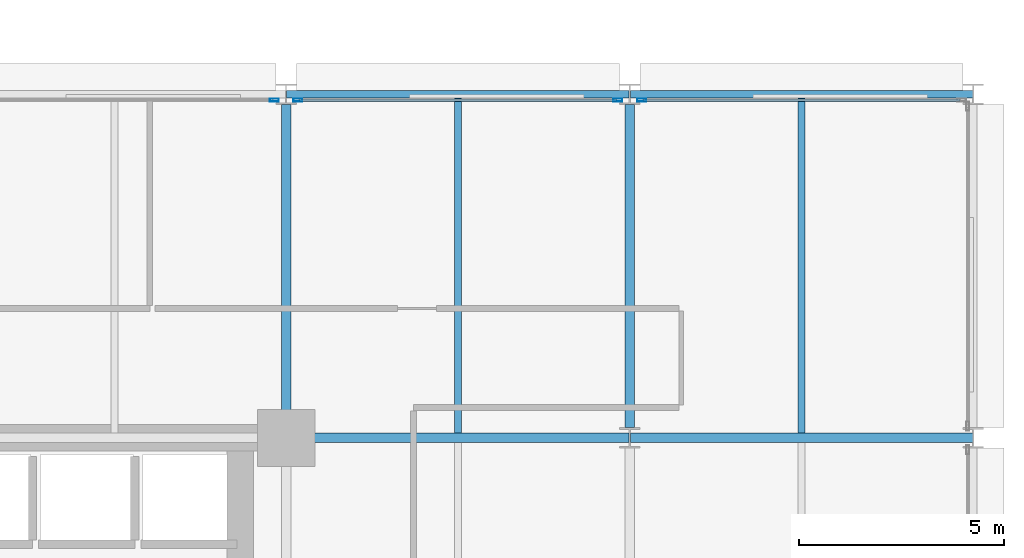
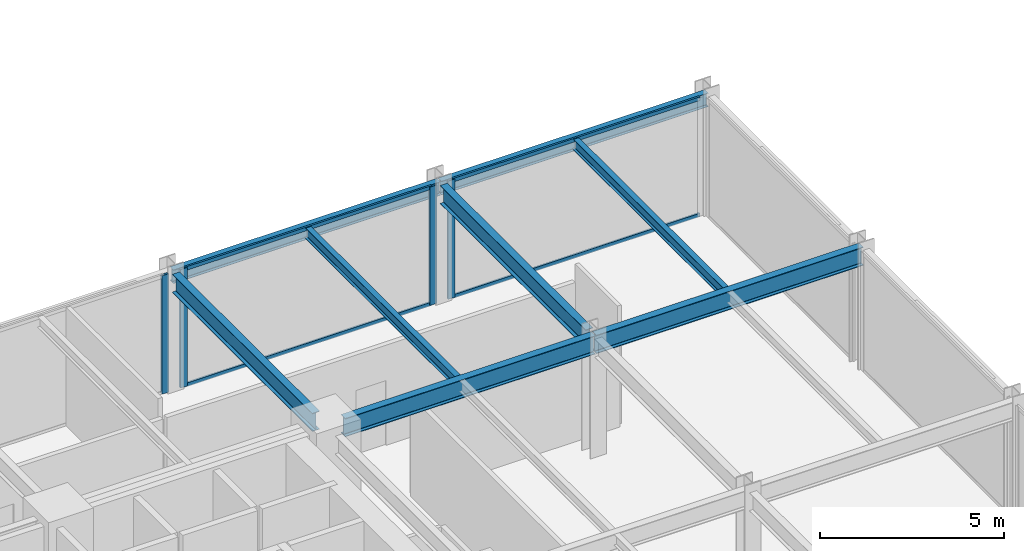
# One storey, part 12 of 25: 8 beams, 8 members, 3 elements without a shape of their own.
"""IFC4 building model written with IfcOpenShell, lengths in metres."""

from ifc_helpers import new_model, si_unit, direction, frame, origin, origin_2d, place, context, subcontext, project, spatial, hollow_rectangle, i_section, extrude, material, layer, layer_set, material_profile, profile_set, type_object, element, aggregate, save


model = new_model("IFC4")

# Units and contexts
model_context = context("Model", 3, precision=1e-05, world=origin(), true_north=direction((0.0, 1.0)))
body_context = subcontext(model_context, "Body", "Model", "MODEL_VIEW")
ifc_project = project(units=[si_unit("LENGTHUNIT", "METRE"), si_unit("AREAUNIT", "SQUARE_METRE"), si_unit("VOLUMEUNIT", "CUBIC_METRE"), si_unit("PLANEANGLEUNIT", "RADIAN"), si_unit("MASSUNIT", "GRAM", prefix="KILO")], contexts=[model_context])

# Site, building, storey
site_placement = place(None, origin())
site = spatial("IfcSite", under=ifc_project, at=site_placement, CompositionType="ELEMENT")
building_placement = place(site_placement, origin())
building = spatial("IfcBuilding", under=site, at=building_placement, Name="Nerrivon Quay Data Exchange", CompositionType="ELEMENT")
storey_placement = place(building_placement, frame((0.0, 0.0, 41.60009765625)))
storey = spatial("IfcBuildingStorey", under=building, at=storey_placement, Name="L09", CompositionType="ELEMENT", Elevation=41.60009765625)

# Beams
ifc_material_1 = material(Name="Steel Grade 350", Category="steel")
ifc_material_profile_1 = material_profile(ifc_material_1, i_section(OverallWidth=0.22900390625, OverallDepth=0.612060546875, WebThickness=0.011962890625, FlangeThickness=0.01953125, FilletRadius=0.013916015625, at=origin_2d()), Name="610UB125")
ifc_profile_set_1 = profile_set([ifc_material_profile_1], Name="Steel Grade 350")
beam_type_1 = type_object("IfcBeamType", Name="BM-G1-610UB125", PredefinedType="BEAM", material=ifc_profile_set_1)
beam_1_placement = place(storey_placement, frame((34.139892578125, 16.800048828125, 3.618896484375), z_axis=(1.0, 0.0, 0.0), x_axis=(0.0, 1.0, 0.0)))
element("IfcBeam", 1, at=beam_1_placement, inside=storey, type_object=beam_type_1, Name="L09 EW Girder Y=16.8 (33.6..42.0)", PredefinedType="BEAM", context=body_context, shape_type="SweptSolid", body=[
    extrude(i_section(OverallWidth=0.22900390625, OverallDepth=0.612060546875, WebThickness=0.011962890625, FlangeThickness=0.01953125, FilletRadius=0.013916015625, at=origin_2d()), origin(), (0.0, 0.0, 1.0), 7.84619140625),
])
beam_2_placement = place(storey_placement, frame((42.013916015625, 16.800048828125, 3.618896484375), z_axis=(1.0, 0.0, 0.0), x_axis=(0.0, 1.0, 0.0)))
element("IfcBeam", 2, at=beam_2_placement, inside=storey, type_object=beam_type_1, Name="L09 EW Girder Y=16.8 (42.0..50.4)", PredefinedType="BEAM", context=body_context, shape_type="SweptSolid", body=[
    extrude(i_section(OverallWidth=0.22900390625, OverallDepth=0.612060546875, WebThickness=0.011962890625, FlangeThickness=0.01953125, FilletRadius=0.013916015625, at=origin_2d()), origin(), (0.0, 0.0, 1.0), 8.3720703125),
])
ifc_material_profile_2 = material_profile(ifc_material_1, i_section(OverallWidth=0.22802734375, OverallDepth=0.60205078125, WebThickness=0.010498046875, FlangeThickness=0.014892578125, FilletRadius=0.013916015625, at=origin_2d()), Name="610UB101")
ifc_profile_set_2 = profile_set([ifc_material_profile_2], Name="Steel Grade 350")
beam_type_2 = type_object("IfcBeamType", Name="BM-G2-610UB101", PredefinedType="BEAM", material=ifc_profile_set_2)
beam_3_placement = place(storey_placement, frame((33.60009765625, 17.340087890625, 3.6240234375), z_axis=(0.0, 1.0, 0.0), x_axis=(-1.0, 0.0, 0.0)))
element("IfcBeam", 3, at=beam_3_placement, inside=storey, type_object=beam_type_2, Name="L09 NS Girder X=33.6 (16.8..25.2)", PredefinedType="BEAM", context=body_context, shape_type="SweptSolid", body=[
    extrude(i_section(OverallWidth=0.22802734375, OverallDepth=0.60205078125, WebThickness=0.010498046875, FlangeThickness=0.014892578125, FilletRadius=0.013916015625, at=origin_2d()), origin(), (0.0, 0.0, 1.0), 7.60986328125),
])
beam_4_placement = place(storey_placement, frame((42.0, 17.050048828125, 3.6240234375), z_axis=(0.0, 1.0, 0.0), x_axis=(-1.0, 0.0, 0.0)))
element("IfcBeam", 4, at=beam_4_placement, inside=storey, type_object=beam_type_2, Name="L09 NS Girder X=42.0 (16.8..25.2)", PredefinedType="BEAM", context=body_context, shape_type="SweptSolid", body=[
    extrude(i_section(OverallWidth=0.22802734375, OverallDepth=0.60205078125, WebThickness=0.010498046875, FlangeThickness=0.014892578125, FilletRadius=0.013916015625, at=origin_2d()), origin(), (0.0, 0.0, 1.0), 7.89990234375),
])
ifc_material_profile_3 = material_profile(ifc_material_1, i_section(OverallWidth=0.172119140625, OverallDepth=0.35888671875, WebThickness=0.008056640625, FlangeThickness=0.012939453125, FilletRadius=0.011474609375, at=origin_2d()), Name="360UB56.7")
ifc_profile_set_3 = profile_set([ifc_material_profile_3], Name="Steel Grade 350")
beam_type_3 = type_object("IfcBeamType", Name="BM-J3-360UB57", PredefinedType="JOIST", material=ifc_profile_set_3)
for number, where, z_axis, x_axis, name in (
    (5, (37.800048828125, 16.91455078125, 3.745361328125), (0.0, 1.0, 0.0), (-1.0, 0.0, 0.0), "L09 Secondary Joist X=37.8 (16.8..25.2)"),
    (6, (46.199951171875, 16.91455078125, 3.745361328125), (0.0, 1.0, 0.0), (-1.0, 0.0, 0.0), "L09 Secondary Joist X=46.2 (16.8..25.2)"),
):
    element("IfcBeam", number, at=place(storey_placement, frame(where, z_axis=z_axis, x_axis=x_axis)), inside=storey, type_object=beam_type_3, Name=name, PredefinedType="JOIST", context=body_context, shape_type="SweptSolid", body=[
        extrude(i_section(OverallWidth=0.172119140625, OverallDepth=0.35888671875, WebThickness=0.008056640625, FlangeThickness=0.012939453125, FilletRadius=0.011474609375, at=origin_2d()), origin(), (0.0, 0.0, 1.0), 8.1904296875),
    ])
ifc_material_profile_4 = material_profile(ifc_material_1, i_section(OverallWidth=0.18994140625, OverallDepth=0.4541015625, WebThickness=0.008544921875, FlangeThickness=0.0126953125, FilletRadius=0.011474609375, at=origin_2d()), Name="460UB67.1")
ifc_profile_set_4 = profile_set([ifc_material_profile_4], Name="Steel Grade 350")
beam_type_4 = type_object("IfcBeamType", Name="BM-SP1-460UB67", PredefinedType="SPANDREL", material=ifc_profile_set_4)
for number, where, z_axis, x_axis, name in (
    (7, (33.614013671875, 25.199951171875, 3.697998046875), (1.0, 0.0, 0.0), (0.0, 1.0, 0.0), "L09 EW Girder Y=25.2 (33.6..42.0)"),
    (8, (42.013916015625, 25.199951171875, 3.697998046875), (1.0, 0.0, 0.0), (0.0, 1.0, 0.0), "L09 EW Girder Y=25.2 (42.0..50.4)"),
):
    element("IfcBeam", number, at=place(storey_placement, frame(where, z_axis=z_axis, x_axis=x_axis)), inside=storey, type_object=beam_type_4, Name=name, PredefinedType="SPANDREL", context=body_context, shape_type="SweptSolid", body=[
        extrude(i_section(OverallWidth=0.18994140625, OverallDepth=0.4541015625, WebThickness=0.008544921875, FlangeThickness=0.0126953125, FilletRadius=0.011474609375, at=origin_2d()), origin(), (0.0, 0.0, 1.0), 8.3720703125),
    ])

# Curtain wall, member
ifc_material_2 = material(Name="Anodised aluminium 6063-T6", Category="aluminium")
ifc_layer = layer(ifc_material_2, 0.219970703125)
ifc_layer_set = layer_set([ifc_layer], Name="Anodised aluminium 6063-T6")
curtain_wall_type = type_object("IfcCurtainWallType", Name="CW-SYS-01", PredefinedType="NOTDEFINED", material=ifc_layer_set)
curtain_wall_1_placement = place(storey_placement, origin())
curtain_wall_1 = element("IfcCurtainWall", 9, at=curtain_wall_1_placement, inside=storey, type_object=curtain_wall_type, Name="L09 Unitised Curtain Wall 28", PredefinedType="NOTDEFINED")
ifc_material_profile_5 = material_profile(ifc_material_2, hollow_rectangle(XDim=0.074951171875, YDim=0.219970703125, WallThickness=0.00390625, at=origin_2d()), Name="ALU-MULL-220x75")
ifc_profile_set_5 = profile_set([ifc_material_profile_5], Name="Anodised aluminium 6063-T6")
member_type_1 = type_object("IfcMemberType", Name="CWM-220x75", PredefinedType="MULLION", material=ifc_profile_set_5)
member_1_placement = place(storey_placement, frame((33.3125, 25.06005859375, 0.0), z_axis=(0.0, 0.0, 1.0), x_axis=(0.0, 1.0, 0.0)))
member_1 = element("IfcMember", 10, at=member_1_placement, type_object=member_type_1, Name="CW01 mullion 2", PredefinedType="MULLION", context=body_context, shape_type="SweptSolid", body=[
    extrude(hollow_rectangle(XDim=0.074951171875, YDim=0.219970703125, WallThickness=0.00390625, at=origin_2d()), origin(), (0.0, 0.0, 1.0), 3.9248046875),
])
aggregate(curtain_wall_1, [member_1])

# Curtain wall, members
curtain_wall_2_placement = place(storey_placement, origin())
curtain_wall_2 = element("IfcCurtainWall", 11, at=curtain_wall_2_placement, inside=storey, type_object=curtain_wall_type, Name="L09 Unitised Curtain Wall 29", PredefinedType="NOTDEFINED")
member_2_placement = place(storey_placement, frame((33.887451171875, 25.06005859375, 0.0), z_axis=(0.0, 0.0, 1.0), x_axis=(0.0, 1.0, 0.0)))
member_2 = element("IfcMember", 12, at=member_2_placement, type_object=member_type_1, Name="CW01 mullion 1", PredefinedType="MULLION", context=body_context, shape_type="SweptSolid", body=[
    extrude(hollow_rectangle(XDim=0.074951171875, YDim=0.219970703125, WallThickness=0.00390625, at=origin_2d()), origin(), (0.0, 0.0, 1.0), 3.9248046875),
])
member_3_placement = place(storey_placement, frame((41.71240234375, 25.06005859375, 0.0), z_axis=(0.0, 0.0, 1.0), x_axis=(0.0, 1.0, 0.0)))
member_3 = element("IfcMember", 13, at=member_3_placement, type_object=member_type_1, Name="CW01 mullion 2", PredefinedType="MULLION", context=body_context, shape_type="SweptSolid", body=[
    extrude(hollow_rectangle(XDim=0.074951171875, YDim=0.219970703125, WallThickness=0.00390625, at=origin_2d()), origin(), (0.0, 0.0, 1.0), 3.9248046875),
])

# Curtain wall, member
curtain_wall_3_placement = place(storey_placement, origin())
curtain_wall_3 = element("IfcCurtainWall", 14, at=curtain_wall_3_placement, inside=storey, type_object=curtain_wall_type, Name="L09 Unitised Curtain Wall 30", PredefinedType="NOTDEFINED")
member_4_placement = place(storey_placement, frame((42.28759765625, 25.06005859375, 0.0), z_axis=(0.0, 0.0, 1.0), x_axis=(0.0, 1.0, 0.0)))
member_4 = element("IfcMember", 15, at=member_4_placement, type_object=member_type_1, Name="CW01 mullion 1", PredefinedType="MULLION", context=body_context, shape_type="SweptSolid", body=[
    extrude(hollow_rectangle(XDim=0.074951171875, YDim=0.219970703125, WallThickness=0.00390625, at=origin_2d()), origin(), (0.0, 0.0, 1.0), 3.9248046875),
])

# Member
ifc_material_profile_6 = material_profile(ifc_material_2, hollow_rectangle(XDim=0.06005859375, YDim=0.1201171875, WallThickness=0.003173828125, at=origin_2d()), Name="ALU-TRAN-120x60")
ifc_profile_set_6 = profile_set([ifc_material_profile_6], Name="Anodised aluminium 6063-T6")
member_type_2 = type_object("IfcMemberType", Name="CWT-120x60", PredefinedType="USERDEFINED", material=ifc_profile_set_6)
member_5_placement = place(storey_placement, frame((33.925048828125, 25.06005859375, 0.032470703125), z_axis=(1.0, 0.0, 0.0), x_axis=(0.0, 1.0, 0.0)))
member_5 = element("IfcMember", 16, at=member_5_placement, type_object=member_type_2, Name="CW01 transom 1.1", ObjectType="TRANSOM", PredefinedType="USERDEFINED", context=body_context, shape_type="SweptSolid", body=[
    extrude(hollow_rectangle(XDim=0.06005859375, YDim=0.1201171875, WallThickness=0.003173828125, at=origin_2d()), origin(), (0.0, 0.0, 1.0), 7.75),
])

member_6_placement = place(storey_placement, frame((33.925048828125, 25.06005859375, 3.892333984375), z_axis=(1.0, 0.0, 0.0), x_axis=(0.0, 1.0, 0.0)))
member_6 = element("IfcMember", 17, at=member_6_placement, type_object=member_type_2, Name="CW01 transom 1.2", ObjectType="TRANSOM", PredefinedType="USERDEFINED", context=body_context, shape_type="SweptSolid", body=[
    extrude(hollow_rectangle(XDim=0.06005859375, YDim=0.1201171875, WallThickness=0.003173828125, at=origin_2d()), origin(), (0.0, 0.0, 1.0), 7.75),
])

aggregate(curtain_wall_2, [member_2, member_3, member_5, member_6])

member_7_placement = place(storey_placement, frame((42.324951171875, 25.06005859375, 0.032470703125), z_axis=(1.0, 0.0, 0.0), x_axis=(0.0, 1.0, 0.0)))
member_7 = element("IfcMember", 18, at=member_7_placement, type_object=member_type_2, Name="CW01 transom 1.1", ObjectType="TRANSOM", PredefinedType="USERDEFINED", context=body_context, shape_type="SweptSolid", body=[
    extrude(hollow_rectangle(XDim=0.06005859375, YDim=0.1201171875, WallThickness=0.003173828125, at=origin_2d()), origin(), (0.0, 0.0, 1.0), 7.75),
])

member_8_placement = place(storey_placement, frame((42.324951171875, 25.06005859375, 3.892333984375), z_axis=(1.0, 0.0, 0.0), x_axis=(0.0, 1.0, 0.0)))
member_8 = element("IfcMember", 19, at=member_8_placement, type_object=member_type_2, Name="CW01 transom 1.2", ObjectType="TRANSOM", PredefinedType="USERDEFINED", context=body_context, shape_type="SweptSolid", body=[
    extrude(hollow_rectangle(XDim=0.06005859375, YDim=0.1201171875, WallThickness=0.003173828125, at=origin_2d()), origin(), (0.0, 0.0, 1.0), 7.75),
])

aggregate(curtain_wall_3, [member_4, member_7, member_8])

save(model, "model.ifc")
